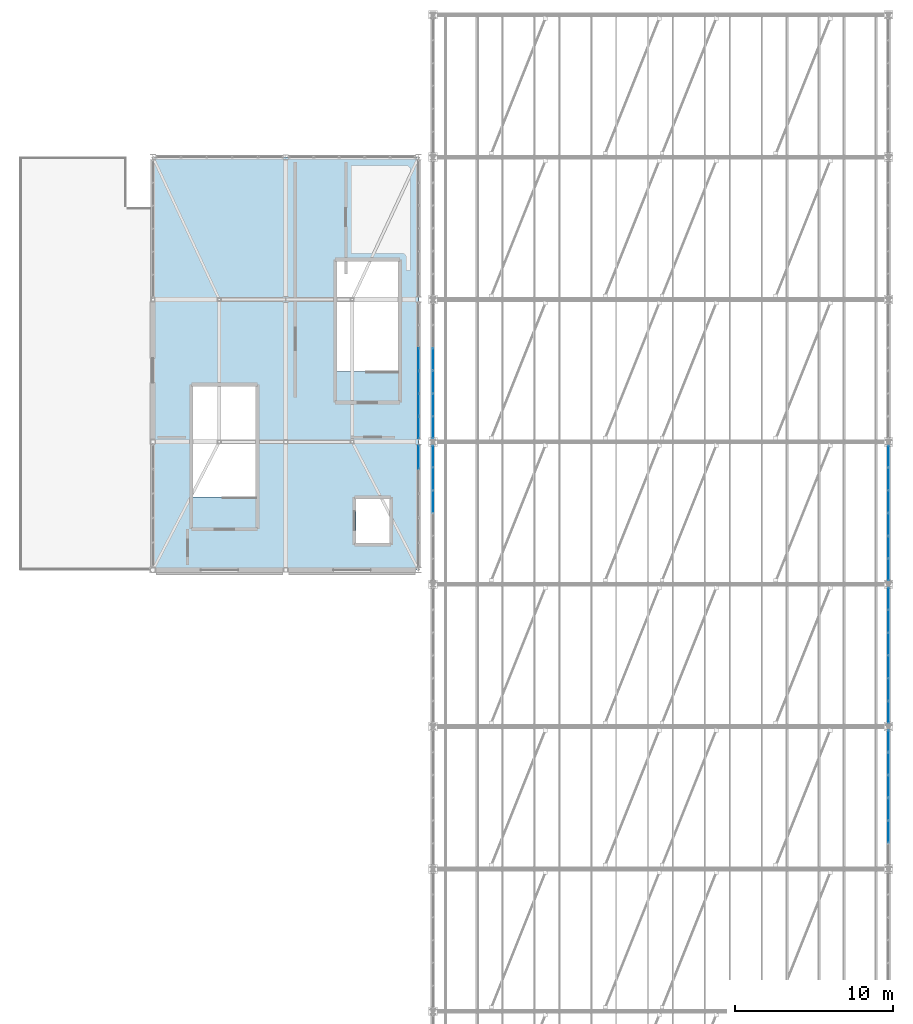
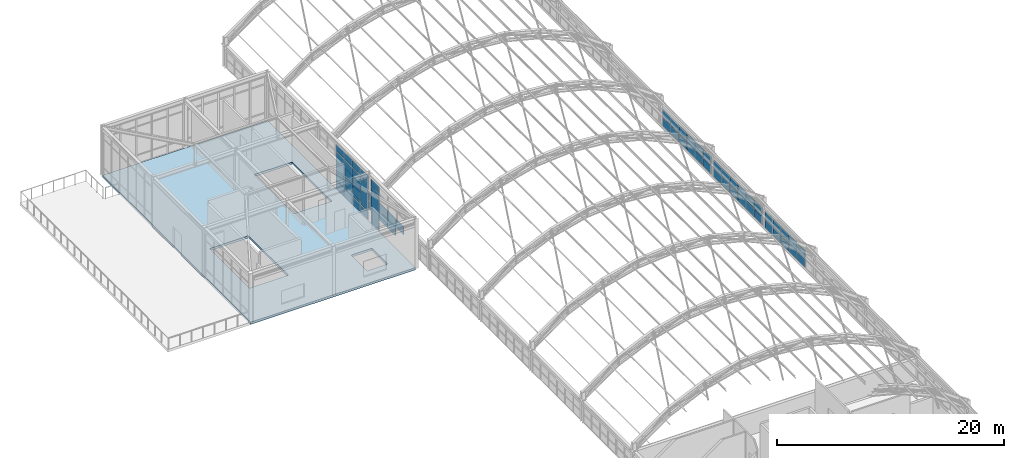
# One storey, part 100 of 121: 62 plates, 1 slab, 7 elements without a shape of their own.
"""IFC4 building model written with IfcOpenShell, lengths in metres."""

from ifc_helpers import new_model, si_unit, direction, frame, origin, origin_2d, place, context, subcontext, project, spatial, polyline, rectangle, outline, extrude, material, layer, layer_set, type_object, element, aggregate, save


model = new_model("IFC4")

# Units and contexts
model_context = context("Model", 3, precision=1e-05, world=origin(), true_north=direction((0.0, 1.0)))
body_context = subcontext(model_context, "Body", "Model", "MODEL_VIEW")
ifc_project = project(units=[si_unit("LENGTHUNIT", "METRE"), si_unit("AREAUNIT", "SQUARE_METRE"), si_unit("VOLUMEUNIT", "CUBIC_METRE"), si_unit("PLANEANGLEUNIT", "RADIAN"), si_unit("MASSUNIT", "GRAM", prefix="KILO")], contexts=[model_context])

# Site, building, storey
site_placement = place(None, origin())
site = spatial("IfcSite", under=ifc_project, at=site_placement, CompositionType="ELEMENT")
building_placement = place(site_placement, origin())
building = spatial("IfcBuilding", under=site, at=building_placement, Name="Canglan Escarpment Cableway Terminal", CompositionType="ELEMENT")
storey_placement = place(building_placement, frame((0.0, 0.0, 24.60009765625)))
storey = spatial("IfcBuildingStorey", under=building, at=storey_placement, Name="L05", CompositionType="ELEMENT", Elevation=24.60009765625)

# Curtain wall, plates
ifc_material_1 = material(Name="Anodized bronze aluminium and Low-E double glazing", Category="aluminium")
curtain_wall_type_1 = type_object("IfcCurtainWallType", Name="CW-BAY-7750x4875", PredefinedType="NOTDEFINED", material=ifc_material_1)
curtain_wall_1_placement = place(storey_placement, origin())
curtain_wall_1 = element("IfcCurtainWall", 1, at=curtain_wall_1_placement, inside=storey, type_object=curtain_wall_type_1, Name="Classical bay-between-piers glazed curtain wall CW-57", PredefinedType="NOTDEFINED")
ifc_material_2 = material(Name="Double-silver Low-E laminated insulating glass", Category="glass")
ifc_layer_1 = layer(ifc_material_2, 0.028076171875, Name="Double-silver Low-E laminated insulating glass")
ifc_layer_set_1 = layer_set([ifc_layer_1], Name="Double-silver Low-E laminated insulating glass")
plate_type_1 = type_object("IfcPlateType", Name="CWP-02", PredefinedType="CURTAIN_PANEL", material=ifc_layer_set_1)
plate_1_placement = place(storey_placement, frame((136.699951171875, 96.03369140625, 0.06005859375), z_axis=(0.0, 0.0, 1.0), x_axis=(0.0, 1.0, 0.0)))
plate_1 = element("IfcPlate", 2, at=plate_1_placement, type_object=plate_type_1, Name="CW-57 panel 5.1", PredefinedType="CURTAIN_PANEL", context=body_context, shape_type="SweptSolid", body=[
    extrude(rectangle(XDim=1.452392578125, YDim=0.028076171875, at=origin_2d()), origin(), (0.0, 0.0, 1.0), 0.860107421875),
])
plate_2_placement = place(storey_placement, frame((136.699951171875, 96.03369140625, 0.97998046875), z_axis=(0.0, 0.0, 1.0), x_axis=(0.0, 1.0, 0.0)))
plate_2 = element("IfcPlate", 3, at=plate_2_placement, type_object=plate_type_1, Name="CW-57 panel 5.2", PredefinedType="CURTAIN_PANEL", context=body_context, shape_type="SweptSolid", body=[
    extrude(rectangle(XDim=1.452392578125, YDim=0.028076171875, at=origin_2d()), origin(), (0.0, 0.0, 1.0), 3.02099609375),
])
plate_3_placement = place(storey_placement, frame((136.699951171875, 96.03369140625, 4.06103515625), z_axis=(0.0, 0.0, 1.0), x_axis=(0.0, 1.0, 0.0)))
plate_3 = element("IfcPlate", 4, at=plate_3_placement, type_object=plate_type_1, Name="CW-57 panel 5.3", PredefinedType="CURTAIN_PANEL", context=body_context, shape_type="SweptSolid", body=[
    extrude(rectangle(XDim=1.452392578125, YDim=0.028076171875, at=origin_2d()), origin(), (0.0, 0.0, 1.0), 0.760009765625),
])
aggregate(curtain_wall_1, [plate_1, plate_2, plate_3])

curtain_wall_type_2 = type_object("IfcCurtainWallType", Name="CW-BAY-8650x1950", PredefinedType="NOTDEFINED", material=ifc_material_1)
curtain_wall_2_placement = place(storey_placement, origin())
curtain_wall_2 = element("IfcCurtainWall", 5, at=curtain_wall_2_placement, inside=storey, type_object=curtain_wall_type_2, Name="Classical bay-between-piers glazed curtain wall CW-66", PredefinedType="NOTDEFINED")
plate_4_placement = place(storey_placement, frame((166.39990234375, 72.33740234375, 0.06494140625), z_axis=(0.0, 0.0, 1.0), x_axis=(0.0, 1.0, 0.0)))
plate_4 = element("IfcPlate", 6, at=plate_4_placement, type_object=plate_type_1, Name="CW-66 panel 2.1", PredefinedType="CURTAIN_PANEL", context=body_context, shape_type="SweptSolid", body=[
    extrude(rectangle(XDim=1.376708984375, YDim=0.028076171875, at=origin_2d()), origin(), (0.0, 0.0, 1.0), 0.87744140625),
])
plate_5_placement = place(storey_placement, frame((166.39990234375, 72.33740234375, 1.00732421875), z_axis=(0.0, 0.0, 1.0), x_axis=(0.0, 1.0, 0.0)))
plate_5 = element("IfcPlate", 7, at=plate_5_placement, type_object=plate_type_1, Name="CW-66 panel 2.2", PredefinedType="CURTAIN_PANEL", context=body_context, shape_type="SweptSolid", body=[
    extrude(rectangle(XDim=1.376708984375, YDim=0.028076171875, at=origin_2d()), origin(), (0.0, 0.0, 1.0), 0.87744140625),
])
plate_6_placement = place(storey_placement, frame((166.39990234375, 73.779052734375, 0.06494140625), z_axis=(0.0, 0.0, 1.0), x_axis=(0.0, 1.0, 0.0)))
plate_6 = element("IfcPlate", 8, at=plate_6_placement, type_object=plate_type_1, Name="CW-66 panel 3.1", PredefinedType="CURTAIN_PANEL", context=body_context, shape_type="SweptSolid", body=[
    extrude(rectangle(XDim=1.376708984375, YDim=0.028076171875, at=origin_2d()), origin(), (0.0, 0.0, 1.0), 0.87744140625),
])
plate_7_placement = place(storey_placement, frame((166.39990234375, 73.779052734375, 1.00732421875), z_axis=(0.0, 0.0, 1.0), x_axis=(0.0, 1.0, 0.0)))
plate_7 = element("IfcPlate", 9, at=plate_7_placement, type_object=plate_type_1, Name="CW-66 panel 3.2", PredefinedType="CURTAIN_PANEL", context=body_context, shape_type="SweptSolid", body=[
    extrude(rectangle(XDim=1.376708984375, YDim=0.028076171875, at=origin_2d()), origin(), (0.0, 0.0, 1.0), 0.87744140625),
])
plate_8_placement = place(storey_placement, frame((166.39990234375, 75.220947265625, 0.06494140625), z_axis=(0.0, 0.0, 1.0), x_axis=(0.0, 1.0, 0.0)))
plate_8 = element("IfcPlate", 10, at=plate_8_placement, type_object=plate_type_1, Name="CW-66 panel 4.1", PredefinedType="CURTAIN_PANEL", context=body_context, shape_type="SweptSolid", body=[
    extrude(rectangle(XDim=1.376708984375, YDim=0.028076171875, at=origin_2d()), origin(), (0.0, 0.0, 1.0), 0.87744140625),
])
plate_9_placement = place(storey_placement, frame((166.39990234375, 75.220947265625, 1.00732421875), z_axis=(0.0, 0.0, 1.0), x_axis=(0.0, 1.0, 0.0)))
plate_9 = element("IfcPlate", 11, at=plate_9_placement, type_object=plate_type_1, Name="CW-66 panel 4.2", PredefinedType="CURTAIN_PANEL", context=body_context, shape_type="SweptSolid", body=[
    extrude(rectangle(XDim=1.376708984375, YDim=0.028076171875, at=origin_2d()), origin(), (0.0, 0.0, 1.0), 0.87744140625),
])
plate_10_placement = place(storey_placement, frame((166.39990234375, 76.66259765625, 0.06494140625), z_axis=(0.0, 0.0, 1.0), x_axis=(0.0, 1.0, 0.0)))
plate_10 = element("IfcPlate", 12, at=plate_10_placement, type_object=plate_type_1, Name="CW-66 panel 5.1", PredefinedType="CURTAIN_PANEL", context=body_context, shape_type="SweptSolid", body=[
    extrude(rectangle(XDim=1.376708984375, YDim=0.028076171875, at=origin_2d()), origin(), (0.0, 0.0, 1.0), 0.87744140625),
])
plate_11_placement = place(storey_placement, frame((166.39990234375, 76.66259765625, 1.00732421875), z_axis=(0.0, 0.0, 1.0), x_axis=(0.0, 1.0, 0.0)))
plate_11 = element("IfcPlate", 13, at=plate_11_placement, type_object=plate_type_1, Name="CW-66 panel 5.2", PredefinedType="CURTAIN_PANEL", context=body_context, shape_type="SweptSolid", body=[
    extrude(rectangle(XDim=1.376708984375, YDim=0.028076171875, at=origin_2d()), origin(), (0.0, 0.0, 1.0), 0.87744140625),
])
plate_12_placement = place(storey_placement, frame((166.39990234375, 78.087890625, 0.06494140625), z_axis=(0.0, 0.0, 1.0), x_axis=(0.0, 1.0, 0.0)))
plate_12 = element("IfcPlate", 14, at=plate_12_placement, type_object=plate_type_1, Name="CW-66 panel 6.1", PredefinedType="CURTAIN_PANEL", context=body_context, shape_type="SweptSolid", body=[
    extrude(rectangle(XDim=1.34423828125, YDim=0.028076171875, at=origin_2d()), origin(), (0.0, 0.0, 1.0), 0.87744140625),
])
plate_13_placement = place(storey_placement, frame((166.39990234375, 78.087890625, 1.00732421875), z_axis=(0.0, 0.0, 1.0), x_axis=(0.0, 1.0, 0.0)))
plate_13 = element("IfcPlate", 15, at=plate_13_placement, type_object=plate_type_1, Name="CW-66 panel 6.2", PredefinedType="CURTAIN_PANEL", context=body_context, shape_type="SweptSolid", body=[
    extrude(rectangle(XDim=1.34423828125, YDim=0.028076171875, at=origin_2d()), origin(), (0.0, 0.0, 1.0), 0.87744140625),
])
aggregate(curtain_wall_2, [plate_4, plate_5, plate_6, plate_7, plate_8, plate_9, plate_10, plate_11, plate_12, plate_13])

curtain_wall_type_3 = type_object("IfcCurtainWallType", Name="CW-BAY-8650x4875", PredefinedType="NOTDEFINED", material=ifc_material_1)
curtain_wall_3_placement = place(storey_placement, origin())
curtain_wall_3 = element("IfcCurtainWall", 16, at=curtain_wall_3_placement, inside=storey, type_object=curtain_wall_type_3, Name="Classical bay-between-piers glazed curtain wall CW-58", PredefinedType="NOTDEFINED")
ifc_layer_2 = layer(ifc_material_2, 0.031982421875, Name="Double-silver Low-E laminated insulating glass")
ifc_layer_set_2 = layer_set([ifc_layer_2], Name="Double-silver Low-E laminated insulating glass")
plate_type_2 = type_object("IfcPlateType", Name="CWP-03", PredefinedType="CURTAIN_PANEL", material=ifc_layer_set_2)
plate_14_placement = place(storey_placement, frame((136.699951171875, 97.912109375, 0.06494140625), z_axis=(0.0, 0.0, 1.0), x_axis=(0.0, 1.0, 0.0)))
plate_14 = element("IfcPlate", 17, at=plate_14_placement, type_object=plate_type_2, Name="CW-58 panel 1.1", PredefinedType="CURTAIN_PANEL", context=body_context, shape_type="SweptSolid", body=[
    extrude(rectangle(XDim=1.34423828125, YDim=0.031982421875, at=origin_2d()), origin(), (0.0, 0.0, 1.0), 0.8525390625),
])
plate_15_placement = place(storey_placement, frame((136.699951171875, 97.912109375, 0.982421875), z_axis=(0.0, 0.0, 1.0), x_axis=(0.0, 1.0, 0.0)))
plate_15 = element("IfcPlate", 18, at=plate_15_placement, type_object=plate_type_2, Name="CW-58 panel 1.2", PredefinedType="CURTAIN_PANEL", context=body_context, shape_type="SweptSolid", body=[
    extrude(rectangle(XDim=1.34423828125, YDim=0.031982421875, at=origin_2d()), origin(), (0.0, 0.0, 1.0), 3.01611328125),
])
plate_16_placement = place(storey_placement, frame((136.699951171875, 97.912109375, 4.0634765625), z_axis=(0.0, 0.0, 1.0), x_axis=(0.0, 1.0, 0.0)))
plate_16 = element("IfcPlate", 19, at=plate_16_placement, type_object=plate_type_2, Name="CW-58 panel 1.3", PredefinedType="CURTAIN_PANEL", context=body_context, shape_type="SweptSolid", body=[
    extrude(rectangle(XDim=1.34423828125, YDim=0.031982421875, at=origin_2d()), origin(), (0.0, 0.0, 1.0), 0.75244140625),
])
plate_17_placement = place(storey_placement, frame((136.699951171875, 99.33740234375, 0.06494140625), z_axis=(0.0, 0.0, 1.0), x_axis=(0.0, 1.0, 0.0)))
plate_17 = element("IfcPlate", 20, at=plate_17_placement, type_object=plate_type_2, Name="CW-58 panel 2.1", PredefinedType="CURTAIN_PANEL", context=body_context, shape_type="SweptSolid", body=[
    extrude(rectangle(XDim=1.376708984375, YDim=0.031982421875, at=origin_2d()), origin(), (0.0, 0.0, 1.0), 0.8525390625),
])
plate_18_placement = place(storey_placement, frame((136.699951171875, 99.33740234375, 0.982421875), z_axis=(0.0, 0.0, 1.0), x_axis=(0.0, 1.0, 0.0)))
plate_18 = element("IfcPlate", 21, at=plate_18_placement, type_object=plate_type_2, Name="CW-58 panel 2.2", PredefinedType="CURTAIN_PANEL", context=body_context, shape_type="SweptSolid", body=[
    extrude(rectangle(XDim=1.376708984375, YDim=0.031982421875, at=origin_2d()), origin(), (0.0, 0.0, 1.0), 3.01611328125),
])
plate_19_placement = place(storey_placement, frame((136.699951171875, 99.33740234375, 4.0634765625), z_axis=(0.0, 0.0, 1.0), x_axis=(0.0, 1.0, 0.0)))
plate_19 = element("IfcPlate", 22, at=plate_19_placement, type_object=plate_type_2, Name="CW-58 panel 2.3", PredefinedType="CURTAIN_PANEL", context=body_context, shape_type="SweptSolid", body=[
    extrude(rectangle(XDim=1.376708984375, YDim=0.031982421875, at=origin_2d()), origin(), (0.0, 0.0, 1.0), 0.75244140625),
])
plate_20_placement = place(storey_placement, frame((136.699951171875, 100.779052734375, 0.06494140625), z_axis=(0.0, 0.0, 1.0), x_axis=(0.0, 1.0, 0.0)))
plate_20 = element("IfcPlate", 23, at=plate_20_placement, type_object=plate_type_2, Name="CW-58 panel 3.1", PredefinedType="CURTAIN_PANEL", context=body_context, shape_type="SweptSolid", body=[
    extrude(rectangle(XDim=1.376708984375, YDim=0.031982421875, at=origin_2d()), origin(), (0.0, 0.0, 1.0), 0.8525390625),
])
plate_21_placement = place(storey_placement, frame((136.699951171875, 100.779052734375, 0.982421875), z_axis=(0.0, 0.0, 1.0), x_axis=(0.0, 1.0, 0.0)))
plate_21 = element("IfcPlate", 24, at=plate_21_placement, type_object=plate_type_2, Name="CW-58 panel 3.2", PredefinedType="CURTAIN_PANEL", context=body_context, shape_type="SweptSolid", body=[
    extrude(rectangle(XDim=1.376708984375, YDim=0.031982421875, at=origin_2d()), origin(), (0.0, 0.0, 1.0), 3.01611328125),
])
plate_22_placement = place(storey_placement, frame((136.699951171875, 100.779052734375, 4.0634765625), z_axis=(0.0, 0.0, 1.0), x_axis=(0.0, 1.0, 0.0)))
plate_22 = element("IfcPlate", 25, at=plate_22_placement, type_object=plate_type_2, Name="CW-58 panel 3.3", PredefinedType="CURTAIN_PANEL", context=body_context, shape_type="SweptSolid", body=[
    extrude(rectangle(XDim=1.376708984375, YDim=0.031982421875, at=origin_2d()), origin(), (0.0, 0.0, 1.0), 0.75244140625),
])
plate_23_placement = place(storey_placement, frame((136.699951171875, 102.220947265625, 0.06494140625), z_axis=(0.0, 0.0, 1.0), x_axis=(0.0, 1.0, 0.0)))
plate_23 = element("IfcPlate", 26, at=plate_23_placement, type_object=plate_type_2, Name="CW-58 panel 4.1", PredefinedType="CURTAIN_PANEL", context=body_context, shape_type="SweptSolid", body=[
    extrude(rectangle(XDim=1.376708984375, YDim=0.031982421875, at=origin_2d()), origin(), (0.0, 0.0, 1.0), 0.8525390625),
])
plate_24_placement = place(storey_placement, frame((136.699951171875, 102.220947265625, 0.982421875), z_axis=(0.0, 0.0, 1.0), x_axis=(0.0, 1.0, 0.0)))
plate_24 = element("IfcPlate", 27, at=plate_24_placement, type_object=plate_type_2, Name="CW-58 panel 4.2", PredefinedType="CURTAIN_PANEL", context=body_context, shape_type="SweptSolid", body=[
    extrude(rectangle(XDim=1.376708984375, YDim=0.031982421875, at=origin_2d()), origin(), (0.0, 0.0, 1.0), 3.01611328125),
])
plate_25_placement = place(storey_placement, frame((136.699951171875, 102.220947265625, 4.0634765625), z_axis=(0.0, 0.0, 1.0), x_axis=(0.0, 1.0, 0.0)))
plate_25 = element("IfcPlate", 28, at=plate_25_placement, type_object=plate_type_2, Name="CW-58 panel 4.3", PredefinedType="CURTAIN_PANEL", context=body_context, shape_type="SweptSolid", body=[
    extrude(rectangle(XDim=1.376708984375, YDim=0.031982421875, at=origin_2d()), origin(), (0.0, 0.0, 1.0), 0.75244140625),
])
aggregate(curtain_wall_3, [plate_14, plate_15, plate_16, plate_17, plate_18, plate_19, plate_20, plate_21, plate_22, plate_23, plate_24, plate_25])

curtain_wall_4_placement = place(storey_placement, origin())
curtain_wall_4 = element("IfcCurtainWall", 29, at=curtain_wall_4_placement, inside=storey, type_object=curtain_wall_type_2, Name="Classical bay-between-piers glazed curtain wall CW-66", PredefinedType="NOTDEFINED")
plate_26_placement = place(storey_placement, frame((166.39990234375, 79.910888671875, 0.054931640625), z_axis=(0.0, 0.0, 1.0), x_axis=(0.0, 1.0, 0.0)))
plate_26 = element("IfcPlate", 30, at=plate_26_placement, type_object=plate_type_2, Name="CW-66 panel 1.1", PredefinedType="CURTAIN_PANEL", context=body_context, shape_type="SweptSolid", body=[
    extrude(rectangle(XDim=1.3515625, YDim=0.031982421875, at=origin_2d()), origin(), (0.0, 0.0, 1.0), 0.892578125),
])
plate_27_placement = place(storey_placement, frame((166.39990234375, 79.910888671875, 1.00244140625), z_axis=(0.0, 0.0, 1.0), x_axis=(0.0, 1.0, 0.0)))
plate_27 = element("IfcPlate", 31, at=plate_27_placement, type_object=plate_type_2, Name="CW-66 panel 1.2", PredefinedType="CURTAIN_PANEL", context=body_context, shape_type="SweptSolid", body=[
    extrude(rectangle(XDim=1.3515625, YDim=0.031982421875, at=origin_2d()), origin(), (0.0, 0.0, 1.0), 0.892578125),
])
plate_28_placement = place(storey_placement, frame((166.39990234375, 81.33740234375, 0.054931640625), z_axis=(0.0, 0.0, 1.0), x_axis=(0.0, 1.0, 0.0)))
plate_28 = element("IfcPlate", 32, at=plate_28_placement, type_object=plate_type_2, Name="CW-66 panel 2.1", PredefinedType="CURTAIN_PANEL", context=body_context, shape_type="SweptSolid", body=[
    extrude(rectangle(XDim=1.381591796875, YDim=0.031982421875, at=origin_2d()), origin(), (0.0, 0.0, 1.0), 0.892578125),
])
plate_29_placement = place(storey_placement, frame((166.39990234375, 81.33740234375, 1.00244140625), z_axis=(0.0, 0.0, 1.0), x_axis=(0.0, 1.0, 0.0)))
plate_29 = element("IfcPlate", 33, at=plate_29_placement, type_object=plate_type_2, Name="CW-66 panel 2.2", PredefinedType="CURTAIN_PANEL", context=body_context, shape_type="SweptSolid", body=[
    extrude(rectangle(XDim=1.381591796875, YDim=0.031982421875, at=origin_2d()), origin(), (0.0, 0.0, 1.0), 0.892578125),
])
plate_30_placement = place(storey_placement, frame((166.39990234375, 82.779052734375, 0.054931640625), z_axis=(0.0, 0.0, 1.0), x_axis=(0.0, 1.0, 0.0)))
plate_30 = element("IfcPlate", 34, at=plate_30_placement, type_object=plate_type_2, Name="CW-66 panel 3.1", PredefinedType="CURTAIN_PANEL", context=body_context, shape_type="SweptSolid", body=[
    extrude(rectangle(XDim=1.381591796875, YDim=0.031982421875, at=origin_2d()), origin(), (0.0, 0.0, 1.0), 0.892578125),
])
plate_31_placement = place(storey_placement, frame((166.39990234375, 82.779052734375, 1.00244140625), z_axis=(0.0, 0.0, 1.0), x_axis=(0.0, 1.0, 0.0)))
plate_31 = element("IfcPlate", 35, at=plate_31_placement, type_object=plate_type_2, Name="CW-66 panel 3.2", PredefinedType="CURTAIN_PANEL", context=body_context, shape_type="SweptSolid", body=[
    extrude(rectangle(XDim=1.381591796875, YDim=0.031982421875, at=origin_2d()), origin(), (0.0, 0.0, 1.0), 0.892578125),
])
plate_32_placement = place(storey_placement, frame((166.39990234375, 84.220947265625, 0.054931640625), z_axis=(0.0, 0.0, 1.0), x_axis=(0.0, 1.0, 0.0)))
plate_32 = element("IfcPlate", 36, at=plate_32_placement, type_object=plate_type_2, Name="CW-66 panel 4.1", PredefinedType="CURTAIN_PANEL", context=body_context, shape_type="SweptSolid", body=[
    extrude(rectangle(XDim=1.381591796875, YDim=0.031982421875, at=origin_2d()), origin(), (0.0, 0.0, 1.0), 0.892578125),
])
plate_33_placement = place(storey_placement, frame((166.39990234375, 84.220947265625, 1.00244140625), z_axis=(0.0, 0.0, 1.0), x_axis=(0.0, 1.0, 0.0)))
plate_33 = element("IfcPlate", 37, at=plate_33_placement, type_object=plate_type_2, Name="CW-66 panel 4.2", PredefinedType="CURTAIN_PANEL", context=body_context, shape_type="SweptSolid", body=[
    extrude(rectangle(XDim=1.381591796875, YDim=0.031982421875, at=origin_2d()), origin(), (0.0, 0.0, 1.0), 0.892578125),
])
plate_34_placement = place(storey_placement, frame((166.39990234375, 85.66259765625, 0.054931640625), z_axis=(0.0, 0.0, 1.0), x_axis=(0.0, 1.0, 0.0)))
plate_34 = element("IfcPlate", 38, at=plate_34_placement, type_object=plate_type_2, Name="CW-66 panel 5.1", PredefinedType="CURTAIN_PANEL", context=body_context, shape_type="SweptSolid", body=[
    extrude(rectangle(XDim=1.381591796875, YDim=0.031982421875, at=origin_2d()), origin(), (0.0, 0.0, 1.0), 0.892578125),
])
plate_35_placement = place(storey_placement, frame((166.39990234375, 85.66259765625, 1.00244140625), z_axis=(0.0, 0.0, 1.0), x_axis=(0.0, 1.0, 0.0)))
plate_35 = element("IfcPlate", 39, at=plate_35_placement, type_object=plate_type_2, Name="CW-66 panel 5.2", PredefinedType="CURTAIN_PANEL", context=body_context, shape_type="SweptSolid", body=[
    extrude(rectangle(XDim=1.381591796875, YDim=0.031982421875, at=origin_2d()), origin(), (0.0, 0.0, 1.0), 0.892578125),
])
plate_36_placement = place(storey_placement, frame((166.39990234375, 87.089111328125, 0.054931640625), z_axis=(0.0, 0.0, 1.0), x_axis=(0.0, 1.0, 0.0)))
plate_36 = element("IfcPlate", 40, at=plate_36_placement, type_object=plate_type_2, Name="CW-66 panel 6.1", PredefinedType="CURTAIN_PANEL", context=body_context, shape_type="SweptSolid", body=[
    extrude(rectangle(XDim=1.3515625, YDim=0.031982421875, at=origin_2d()), origin(), (0.0, 0.0, 1.0), 0.892578125),
])
plate_37_placement = place(storey_placement, frame((166.39990234375, 87.089111328125, 1.00244140625), z_axis=(0.0, 0.0, 1.0), x_axis=(0.0, 1.0, 0.0)))
plate_37 = element("IfcPlate", 41, at=plate_37_placement, type_object=plate_type_2, Name="CW-66 panel 6.2", PredefinedType="CURTAIN_PANEL", context=body_context, shape_type="SweptSolid", body=[
    extrude(rectangle(XDim=1.3515625, YDim=0.031982421875, at=origin_2d()), origin(), (0.0, 0.0, 1.0), 0.892578125),
])
aggregate(curtain_wall_4, [plate_26, plate_27, plate_28, plate_29, plate_30, plate_31, plate_32, plate_33, plate_34, plate_35, plate_36, plate_37])

curtain_wall_5_placement = place(storey_placement, origin())
curtain_wall_5 = element("IfcCurtainWall", 42, at=curtain_wall_5_placement, inside=storey, type_object=curtain_wall_type_2, Name="Classical bay-between-piers glazed curtain wall CW-66", PredefinedType="NOTDEFINED")
plate_38_placement = place(storey_placement, frame((137.60009765625, 96.089111328125, 0.054931640625), z_axis=(0.0, 0.0, 1.0), x_axis=(0.0, -1.0, 0.0)))
plate_38 = element("IfcPlate", 43, at=plate_38_placement, type_object=plate_type_2, Name="CW-66 panel 1.1", PredefinedType="CURTAIN_PANEL", context=body_context, shape_type="SweptSolid", body=[
    extrude(rectangle(XDim=1.3515625, YDim=0.031982421875, at=origin_2d()), origin(), (0.0, 0.0, 1.0), 0.892578125),
])
plate_39_placement = place(storey_placement, frame((137.60009765625, 96.089111328125, 1.00244140625), z_axis=(0.0, 0.0, 1.0), x_axis=(0.0, -1.0, 0.0)))
plate_39 = element("IfcPlate", 44, at=plate_39_placement, type_object=plate_type_2, Name="CW-66 panel 1.2", PredefinedType="CURTAIN_PANEL", context=body_context, shape_type="SweptSolid", body=[
    extrude(rectangle(XDim=1.3515625, YDim=0.031982421875, at=origin_2d()), origin(), (0.0, 0.0, 1.0), 0.892578125),
])
plate_40_placement = place(storey_placement, frame((137.60009765625, 94.66259765625, 0.054931640625), z_axis=(0.0, 0.0, 1.0), x_axis=(0.0, -1.0, 0.0)))
plate_40 = element("IfcPlate", 45, at=plate_40_placement, type_object=plate_type_2, Name="CW-66 panel 2.1", PredefinedType="CURTAIN_PANEL", context=body_context, shape_type="SweptSolid", body=[
    extrude(rectangle(XDim=1.381591796875, YDim=0.031982421875, at=origin_2d()), origin(), (0.0, 0.0, 1.0), 0.892578125),
])
plate_41_placement = place(storey_placement, frame((137.60009765625, 94.66259765625, 1.00244140625), z_axis=(0.0, 0.0, 1.0), x_axis=(0.0, -1.0, 0.0)))
plate_41 = element("IfcPlate", 46, at=plate_41_placement, type_object=plate_type_2, Name="CW-66 panel 2.2", PredefinedType="CURTAIN_PANEL", context=body_context, shape_type="SweptSolid", body=[
    extrude(rectangle(XDim=1.381591796875, YDim=0.031982421875, at=origin_2d()), origin(), (0.0, 0.0, 1.0), 0.892578125),
])
plate_42_placement = place(storey_placement, frame((137.60009765625, 93.220947265625, 1.00244140625), z_axis=(0.0, 0.0, 1.0), x_axis=(0.0, -1.0, 0.0)))
plate_42 = element("IfcPlate", 47, at=plate_42_placement, type_object=plate_type_2, Name="CW-66 panel 3.2", PredefinedType="CURTAIN_PANEL", context=body_context, shape_type="SweptSolid", body=[
    extrude(rectangle(XDim=1.381591796875, YDim=0.031982421875, at=origin_2d()), origin(), (0.0, 0.0, 1.0), 0.892578125),
])
aggregate(curtain_wall_5, [plate_38, plate_39, plate_40, plate_41, plate_42])

curtain_wall_6_placement = place(storey_placement, origin())
curtain_wall_6 = element("IfcCurtainWall", 48, at=curtain_wall_6_placement, inside=storey, type_object=curtain_wall_type_2, Name="Classical bay-between-piers glazed curtain wall CW-66", PredefinedType="NOTDEFINED")
ifc_layer_3 = layer(ifc_material_2, 0.035888671875, Name="Double-silver Low-E laminated insulating glass")
ifc_layer_set_3 = layer_set([ifc_layer_3], Name="Double-silver Low-E laminated insulating glass")
plate_type_3 = type_object("IfcPlateType", Name="CWP-04", PredefinedType="CURTAIN_PANEL", material=ifc_layer_set_3)
plate_43_placement = place(storey_placement, frame((166.39990234375, 88.912109375, 0.06005859375), z_axis=(0.0, 0.0, 1.0), x_axis=(0.0, 1.0, 0.0)))
plate_43 = element("IfcPlate", 49, at=plate_43_placement, type_object=plate_type_3, Name="CW-66 panel 1.1", PredefinedType="CURTAIN_PANEL", context=body_context, shape_type="SweptSolid", body=[
    extrude(rectangle(XDim=1.34423828125, YDim=0.035888671875, at=origin_2d()), origin(), (0.0, 0.0, 1.0), 0.885009765625),
])
plate_44_placement = place(storey_placement, frame((166.39990234375, 88.912109375, 1.0048828125), z_axis=(0.0, 0.0, 1.0), x_axis=(0.0, 1.0, 0.0)))
plate_44 = element("IfcPlate", 50, at=plate_44_placement, type_object=plate_type_3, Name="CW-66 panel 1.2", PredefinedType="CURTAIN_PANEL", context=body_context, shape_type="SweptSolid", body=[
    extrude(rectangle(XDim=1.34423828125, YDim=0.035888671875, at=origin_2d()), origin(), (0.0, 0.0, 1.0), 0.885009765625),
])
plate_45_placement = place(storey_placement, frame((166.39990234375, 90.33740234375, 0.06005859375), z_axis=(0.0, 0.0, 1.0), x_axis=(0.0, 1.0, 0.0)))
plate_45 = element("IfcPlate", 51, at=plate_45_placement, type_object=plate_type_3, Name="CW-66 panel 2.1", PredefinedType="CURTAIN_PANEL", context=body_context, shape_type="SweptSolid", body=[
    extrude(rectangle(XDim=1.376708984375, YDim=0.035888671875, at=origin_2d()), origin(), (0.0, 0.0, 1.0), 0.885009765625),
])
plate_46_placement = place(storey_placement, frame((166.39990234375, 90.33740234375, 1.0048828125), z_axis=(0.0, 0.0, 1.0), x_axis=(0.0, 1.0, 0.0)))
plate_46 = element("IfcPlate", 52, at=plate_46_placement, type_object=plate_type_3, Name="CW-66 panel 2.2", PredefinedType="CURTAIN_PANEL", context=body_context, shape_type="SweptSolid", body=[
    extrude(rectangle(XDim=1.376708984375, YDim=0.035888671875, at=origin_2d()), origin(), (0.0, 0.0, 1.0), 0.885009765625),
])
plate_47_placement = place(storey_placement, frame((166.39990234375, 91.779052734375, 0.06005859375), z_axis=(0.0, 0.0, 1.0), x_axis=(0.0, 1.0, 0.0)))
plate_47 = element("IfcPlate", 53, at=plate_47_placement, type_object=plate_type_3, Name="CW-66 panel 3.1", PredefinedType="CURTAIN_PANEL", context=body_context, shape_type="SweptSolid", body=[
    extrude(rectangle(XDim=1.376708984375, YDim=0.035888671875, at=origin_2d()), origin(), (0.0, 0.0, 1.0), 0.885009765625),
])
plate_48_placement = place(storey_placement, frame((166.39990234375, 91.779052734375, 1.0048828125), z_axis=(0.0, 0.0, 1.0), x_axis=(0.0, 1.0, 0.0)))
plate_48 = element("IfcPlate", 54, at=plate_48_placement, type_object=plate_type_3, Name="CW-66 panel 3.2", PredefinedType="CURTAIN_PANEL", context=body_context, shape_type="SweptSolid", body=[
    extrude(rectangle(XDim=1.376708984375, YDim=0.035888671875, at=origin_2d()), origin(), (0.0, 0.0, 1.0), 0.885009765625),
])
plate_49_placement = place(storey_placement, frame((166.39990234375, 93.220947265625, 0.06005859375), z_axis=(0.0, 0.0, 1.0), x_axis=(0.0, 1.0, 0.0)))
plate_49 = element("IfcPlate", 55, at=plate_49_placement, type_object=plate_type_3, Name="CW-66 panel 4.1", PredefinedType="CURTAIN_PANEL", context=body_context, shape_type="SweptSolid", body=[
    extrude(rectangle(XDim=1.376708984375, YDim=0.035888671875, at=origin_2d()), origin(), (0.0, 0.0, 1.0), 0.885009765625),
])
plate_50_placement = place(storey_placement, frame((166.39990234375, 93.220947265625, 1.0048828125), z_axis=(0.0, 0.0, 1.0), x_axis=(0.0, 1.0, 0.0)))
plate_50 = element("IfcPlate", 56, at=plate_50_placement, type_object=plate_type_3, Name="CW-66 panel 4.2", PredefinedType="CURTAIN_PANEL", context=body_context, shape_type="SweptSolid", body=[
    extrude(rectangle(XDim=1.376708984375, YDim=0.035888671875, at=origin_2d()), origin(), (0.0, 0.0, 1.0), 0.885009765625),
])
plate_51_placement = place(storey_placement, frame((166.39990234375, 94.66259765625, 0.06005859375), z_axis=(0.0, 0.0, 1.0), x_axis=(0.0, 1.0, 0.0)))
plate_51 = element("IfcPlate", 57, at=plate_51_placement, type_object=plate_type_3, Name="CW-66 panel 5.1", PredefinedType="CURTAIN_PANEL", context=body_context, shape_type="SweptSolid", body=[
    extrude(rectangle(XDim=1.376708984375, YDim=0.035888671875, at=origin_2d()), origin(), (0.0, 0.0, 1.0), 0.885009765625),
])
plate_52_placement = place(storey_placement, frame((166.39990234375, 94.66259765625, 1.0048828125), z_axis=(0.0, 0.0, 1.0), x_axis=(0.0, 1.0, 0.0)))
plate_52 = element("IfcPlate", 58, at=plate_52_placement, type_object=plate_type_3, Name="CW-66 panel 5.2", PredefinedType="CURTAIN_PANEL", context=body_context, shape_type="SweptSolid", body=[
    extrude(rectangle(XDim=1.376708984375, YDim=0.035888671875, at=origin_2d()), origin(), (0.0, 0.0, 1.0), 0.885009765625),
])
plate_53_placement = place(storey_placement, frame((166.39990234375, 96.087890625, 0.06005859375), z_axis=(0.0, 0.0, 1.0), x_axis=(0.0, 1.0, 0.0)))
plate_53 = element("IfcPlate", 59, at=plate_53_placement, type_object=plate_type_3, Name="CW-66 panel 6.1", PredefinedType="CURTAIN_PANEL", context=body_context, shape_type="SweptSolid", body=[
    extrude(rectangle(XDim=1.34423828125, YDim=0.035888671875, at=origin_2d()), origin(), (0.0, 0.0, 1.0), 0.885009765625),
])
plate_54_placement = place(storey_placement, frame((166.39990234375, 96.087890625, 1.0048828125), z_axis=(0.0, 0.0, 1.0), x_axis=(0.0, 1.0, 0.0)))
plate_54 = element("IfcPlate", 60, at=plate_54_placement, type_object=plate_type_3, Name="CW-66 panel 6.2", PredefinedType="CURTAIN_PANEL", context=body_context, shape_type="SweptSolid", body=[
    extrude(rectangle(XDim=1.34423828125, YDim=0.035888671875, at=origin_2d()), origin(), (0.0, 0.0, 1.0), 0.885009765625),
])
aggregate(curtain_wall_6, [plate_43, plate_44, plate_45, plate_46, plate_47, plate_48, plate_49, plate_50, plate_51, plate_52, plate_53, plate_54])

curtain_wall_7_placement = place(storey_placement, origin())
curtain_wall_7 = element("IfcCurtainWall", 61, at=curtain_wall_7_placement, inside=storey, type_object=curtain_wall_type_2, Name="Classical bay-between-piers glazed curtain wall CW-66", PredefinedType="NOTDEFINED")
plate_55_placement = place(storey_placement, frame((137.60009765625, 102.220947265625, 0.06005859375), z_axis=(0.0, 0.0, 1.0), x_axis=(0.0, -1.0, 0.0)))
plate_55 = element("IfcPlate", 62, at=plate_55_placement, type_object=plate_type_3, Name="CW-66 panel 3.1", PredefinedType="CURTAIN_PANEL", context=body_context, shape_type="SweptSolid", body=[
    extrude(rectangle(XDim=1.376708984375, YDim=0.035888671875, at=origin_2d()), origin(), (0.0, 0.0, 1.0), 0.885009765625),
])
plate_56_placement = place(storey_placement, frame((137.60009765625, 102.220947265625, 1.0048828125), z_axis=(0.0, 0.0, 1.0), x_axis=(0.0, -1.0, 0.0)))
plate_56 = element("IfcPlate", 63, at=plate_56_placement, type_object=plate_type_3, Name="CW-66 panel 3.2", PredefinedType="CURTAIN_PANEL", context=body_context, shape_type="SweptSolid", body=[
    extrude(rectangle(XDim=1.376708984375, YDim=0.035888671875, at=origin_2d()), origin(), (0.0, 0.0, 1.0), 0.885009765625),
])
plate_57_placement = place(storey_placement, frame((137.60009765625, 100.779052734375, 0.06005859375), z_axis=(0.0, 0.0, 1.0), x_axis=(0.0, -1.0, 0.0)))
plate_57 = element("IfcPlate", 64, at=plate_57_placement, type_object=plate_type_3, Name="CW-66 panel 4.1", PredefinedType="CURTAIN_PANEL", context=body_context, shape_type="SweptSolid", body=[
    extrude(rectangle(XDim=1.376708984375, YDim=0.035888671875, at=origin_2d()), origin(), (0.0, 0.0, 1.0), 0.885009765625),
])
plate_58_placement = place(storey_placement, frame((137.60009765625, 100.779052734375, 1.0048828125), z_axis=(0.0, 0.0, 1.0), x_axis=(0.0, -1.0, 0.0)))
plate_58 = element("IfcPlate", 65, at=plate_58_placement, type_object=plate_type_3, Name="CW-66 panel 4.2", PredefinedType="CURTAIN_PANEL", context=body_context, shape_type="SweptSolid", body=[
    extrude(rectangle(XDim=1.376708984375, YDim=0.035888671875, at=origin_2d()), origin(), (0.0, 0.0, 1.0), 0.885009765625),
])
plate_59_placement = place(storey_placement, frame((137.60009765625, 99.33740234375, 0.06005859375), z_axis=(0.0, 0.0, 1.0), x_axis=(0.0, -1.0, 0.0)))
plate_59 = element("IfcPlate", 66, at=plate_59_placement, type_object=plate_type_3, Name="CW-66 panel 5.1", PredefinedType="CURTAIN_PANEL", context=body_context, shape_type="SweptSolid", body=[
    extrude(rectangle(XDim=1.376708984375, YDim=0.035888671875, at=origin_2d()), origin(), (0.0, 0.0, 1.0), 0.885009765625),
])
plate_60_placement = place(storey_placement, frame((137.60009765625, 99.33740234375, 1.0048828125), z_axis=(0.0, 0.0, 1.0), x_axis=(0.0, -1.0, 0.0)))
plate_60 = element("IfcPlate", 67, at=plate_60_placement, type_object=plate_type_3, Name="CW-66 panel 5.2", PredefinedType="CURTAIN_PANEL", context=body_context, shape_type="SweptSolid", body=[
    extrude(rectangle(XDim=1.376708984375, YDim=0.035888671875, at=origin_2d()), origin(), (0.0, 0.0, 1.0), 0.885009765625),
])
plate_61_placement = place(storey_placement, frame((137.60009765625, 97.912109375, 0.06005859375), z_axis=(0.0, 0.0, 1.0), x_axis=(0.0, -1.0, 0.0)))
plate_61 = element("IfcPlate", 68, at=plate_61_placement, type_object=plate_type_3, Name="CW-66 panel 6.1", PredefinedType="CURTAIN_PANEL", context=body_context, shape_type="SweptSolid", body=[
    extrude(rectangle(XDim=1.34423828125, YDim=0.035888671875, at=origin_2d()), origin(), (0.0, 0.0, 1.0), 0.885009765625),
])
plate_62_placement = place(storey_placement, frame((137.60009765625, 97.912109375, 1.0048828125), z_axis=(0.0, 0.0, 1.0), x_axis=(0.0, -1.0, 0.0)))
plate_62 = element("IfcPlate", 69, at=plate_62_placement, type_object=plate_type_3, Name="CW-66 panel 6.2", PredefinedType="CURTAIN_PANEL", context=body_context, shape_type="SweptSolid", body=[
    extrude(rectangle(XDim=1.34423828125, YDim=0.035888671875, at=origin_2d()), origin(), (0.0, 0.0, 1.0), 0.885009765625),
])
aggregate(curtain_wall_7, [plate_55, plate_56, plate_57, plate_58, plate_59, plate_60, plate_61, plate_62])

# Slab
ifc_material_3 = material(Name="Concrete C35", Category="concrete")
ifc_layer_4 = layer(ifc_material_3, 0.239990234375, Name="Concrete C35")
ifc_layer_set_4 = layer_set([ifc_layer_4], Name="Concrete C35")
slab_type = type_object("IfcSlabType", Name="SLB-FLR-240", PredefinedType="FLOOR", material=ifc_layer_set_4)
slab_placement = place(storey_placement, frame((0.0, 0.0, -0.239990234375)))
element("IfcSlab", 70, at=slab_placement, inside=storey, type_object=slab_type, Name="Suspended structural floor slab L05", PredefinedType="FLOOR", context=body_context, shape_type="SweptSolid", body=[
    extrude(outline(polyline([(119.89990234375, 88.89990234375), (136.699951171875, 88.89990234375), (136.699951171875, 115.0), (119.89990234375, 115.0), (119.89990234375, 88.89990234375)]), holes=[polyline([(132.75, 90.60009765625), (132.75, 93.39990234375), (134.85009765625, 93.39990234375), (134.85009765625, 90.60009765625), (132.75, 90.60009765625)]), polyline([(124.35009765625, 93.5), (124.35009765625, 93.506103515625), (122.449951171875, 93.506103515625), (122.449951171875, 100.5), (124.35009765625, 100.5), (124.3701171875, 100.5), (126.39990234375, 100.5), (126.39990234375, 93.5), (124.35009765625, 93.5)]), polyline([(133.39990234375, 101.449951171875), (133.39990234375, 101.4560546875), (131.550048828125, 101.4560546875), (131.550048828125, 108.39990234375), (133.39990234375, 108.39990234375), (133.419921875, 108.39990234375), (135.39990234375, 108.39990234375), (135.39990234375, 101.449951171875), (133.39990234375, 101.449951171875)])]), origin(), (0.0, 0.0, 1.0), 0.239990234375),
])

save(model, "model.ifc")
